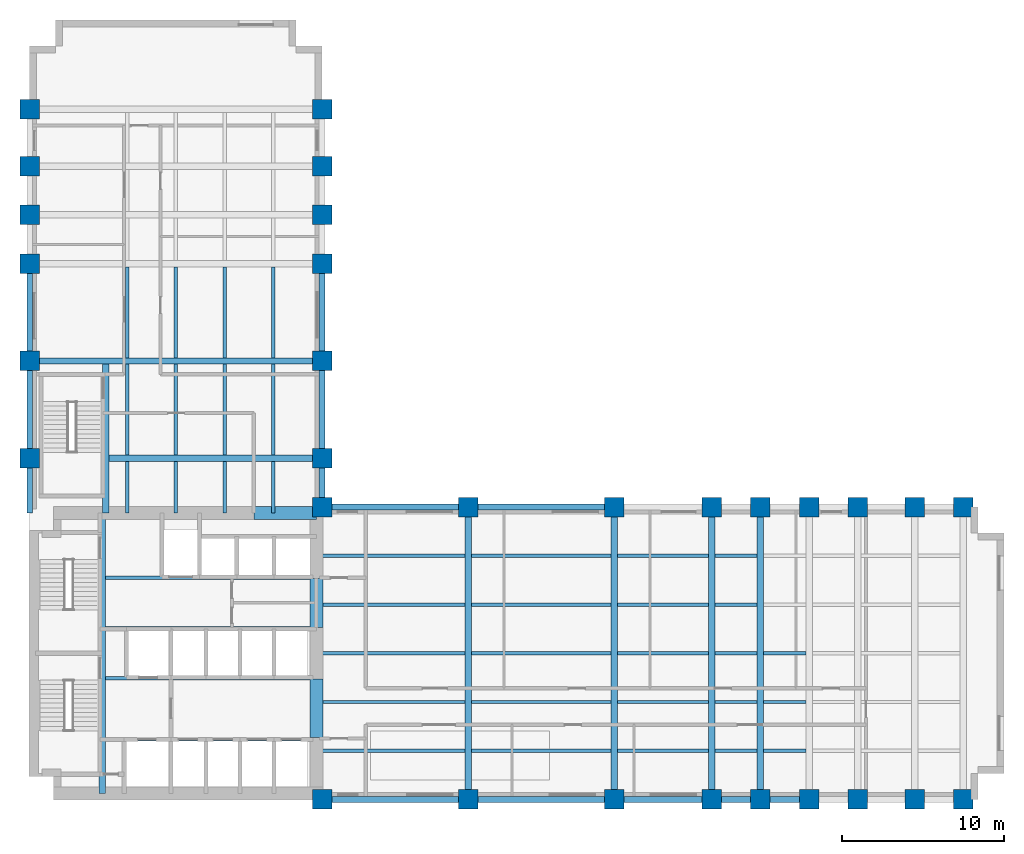
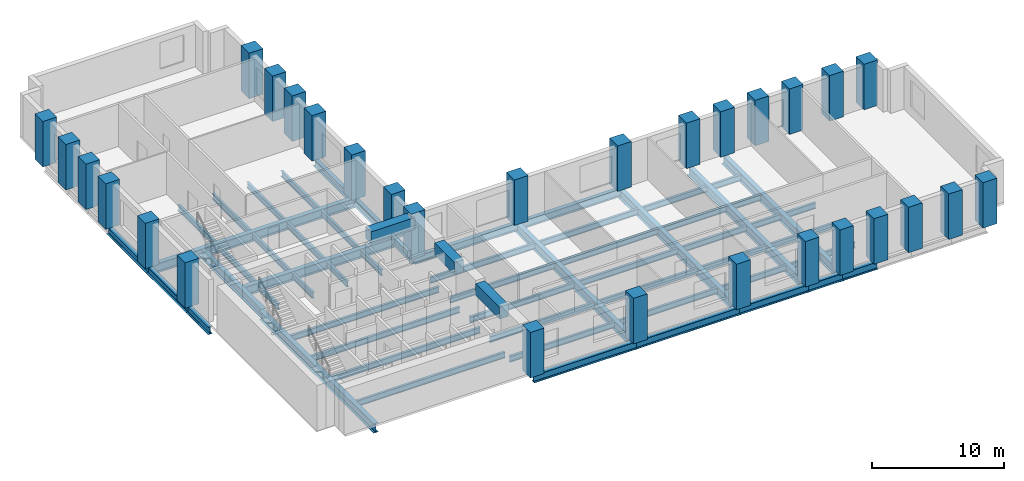
# One storey, part 1 of 7: 63 beams, 30 columns.
"""IFC4 building model written with IfcOpenShell, lengths in metres."""

from ifc_helpers import new_model, si_unit, direction, frame, origin, origin_2d, place, context, subcontext, project, spatial, rectangle, i_section, extrude, material, material_profile, profile_set, type_object, element, save


model = new_model("IFC4")

# Units and contexts
model_context = context("Model", 3, precision=1e-05, world=origin(), true_north=direction((0.0, 1.0)))
body_context = subcontext(model_context, "Body", "Model", "MODEL_VIEW")
ifc_project = project(units=[si_unit("LENGTHUNIT", "METRE"), si_unit("AREAUNIT", "SQUARE_METRE"), si_unit("VOLUMEUNIT", "CUBIC_METRE"), si_unit("PLANEANGLEUNIT", "RADIAN"), si_unit("MASSUNIT", "GRAM", prefix="KILO")], contexts=[model_context])

# Site, building, storey
site_placement = place(None, origin())
site = spatial("IfcSite", under=ifc_project, at=site_placement, CompositionType="ELEMENT")
building_placement = place(site_placement, origin())
building = spatial("IfcBuilding", under=site, at=building_placement, Name="Mawjdan Bourse Tower", CompositionType="ELEMENT")
storey_placement = place(building_placement, frame((0.0, 0.0, 80.39990234375)))
storey = spatial("IfcBuildingStorey", under=building, at=storey_placement, Name="L18", CompositionType="ELEMENT", Elevation=80.39990234375)

# Columns
ifc_material_1 = material(Name="Concrete C80/95", Category="concrete")
ifc_material_profile_1 = material_profile(ifc_material_1, rectangle(XDim=1.199951171875, YDim=1.199951171875, at=origin_2d()), Name="RC1200X1200")
ifc_profile_set_1 = profile_set([ifc_material_profile_1], Name="Concrete C80/95")
column_type = type_object("IfcColumnType", Name="COL-RC1200X1200", PredefinedType="COLUMN", material=ifc_profile_set_1)
for number, where, z_axis, x_axis, name in (
    (1, (24.0, 3.0, 0.0), (0.0, 0.0, 1.0), (1.0, 0.0, 0.0), "L18 Structural Column C-X240-Y30"),
    (2, (24.0, 21.0, 0.0), (0.0, 0.0, 1.0), (1.0, 0.0, 0.0), "L18 Structural Column C-X240-Y210"),
    (3, (33.0, 3.0, 0.0), (0.0, 0.0, 1.0), (1.0, 0.0, 0.0), "L18 Structural Column C-X330-Y30"),
    (4, (33.0, 21.0, 0.0), (0.0, 0.0, 1.0), (1.0, 0.0, 0.0), "L18 Structural Column C-X330-Y210"),
    (5, (42.0, 3.0, 0.0), (0.0, 0.0, 1.0), (1.0, 0.0, 0.0), "L18 Structural Column C-X420-Y30"),
    (6, (42.0, 21.0, 0.0), (0.0, 0.0, 1.0), (1.0, 0.0, 0.0), "L18 Structural Column C-X420-Y210"),
    (7, (48.0, 3.0, 0.0), (0.0, 0.0, 1.0), (1.0, 0.0, 0.0), "L18 Structural Column C-X480-Y30"),
    (8, (48.0, 21.0, 0.0), (0.0, 0.0, 1.0), (1.0, 0.0, 0.0), "L18 Structural Column C-X480-Y210"),
    (9, (51.0, 3.0, 0.0), (0.0, 0.0, 1.0), (1.0, 0.0, 0.0), "L18 Structural Column C-X510-Y30"),
    (10, (51.0, 21.0, 0.0), (0.0, 0.0, 1.0), (1.0, 0.0, 0.0), "L18 Structural Column C-X510-Y210"),
    (11, (54.0, 3.0, 0.0), (0.0, 0.0, 1.0), (1.0, 0.0, 0.0), "L18 Structural Column C-X540-Y30"),
    (12, (54.0, 21.0, 0.0), (0.0, 0.0, 1.0), (1.0, 0.0, 0.0), "L18 Structural Column C-X540-Y210"),
    (13, (57.0, 3.0, 0.0), (0.0, 0.0, 1.0), (1.0, 0.0, 0.0), "L18 Structural Column C-X570-Y30"),
    (14, (57.0, 21.0, 0.0), (0.0, 0.0, 1.0), (1.0, 0.0, 0.0), "L18 Structural Column C-X570-Y210"),
    (15, (60.5, 3.0, 0.0), (0.0, 0.0, 1.0), (1.0, 0.0, 0.0), "L18 Structural Column C-X605-Y30"),
    (16, (60.5, 21.0, 0.0), (0.0, 0.0, 1.0), (1.0, 0.0, 0.0), "L18 Structural Column C-X605-Y210"),
    (17, (63.5, 3.0, 0.0), (0.0, 0.0, 1.0), (1.0, 0.0, 0.0), "L18 Structural Column C-X635-Y30"),
    (18, (63.5, 21.0, 0.0), (0.0, 0.0, 1.0), (1.0, 0.0, 0.0), "L18 Structural Column C-X635-Y210"),
    (19, (6.0, 24.0, 0.0), (0.0, 0.0, 1.0), (1.0, 0.0, 0.0), "L18 Structural Column C-X60-Y240"),
    (20, (24.0, 24.0, 0.0), (0.0, 0.0, 1.0), (1.0, 0.0, 0.0), "L18 Structural Column C-X240-Y240"),
    (21, (6.0, 30.0, 0.0), (0.0, 0.0, 1.0), (1.0, 0.0, 0.0), "L18 Structural Column C-X60-Y300"),
    (22, (24.0, 30.0, 0.0), (0.0, 0.0, 1.0), (1.0, 0.0, 0.0), "L18 Structural Column C-X240-Y300"),
    (23, (6.0, 36.0, 0.0), (0.0, 0.0, 1.0), (1.0, 0.0, 0.0), "L18 Structural Column C-X60-Y360"),
    (24, (24.0, 36.0, 0.0), (0.0, 0.0, 1.0), (1.0, 0.0, 0.0), "L18 Structural Column C-X240-Y360"),
    (25, (6.0, 39.0, 0.0), (0.0, 0.0, 1.0), (1.0, 0.0, 0.0), "L18 Structural Column C-X60-Y390"),
    (26, (24.0, 39.0, 0.0), (0.0, 0.0, 1.0), (1.0, 0.0, 0.0), "L18 Structural Column C-X240-Y390"),
    (27, (6.0, 42.0, 0.0), (0.0, 0.0, 1.0), (1.0, 0.0, 0.0), "L18 Structural Column C-X60-Y420"),
    (28, (24.0, 42.0, 0.0), (0.0, 0.0, 1.0), (1.0, 0.0, 0.0), "L18 Structural Column C-X240-Y420"),
    (29, (6.0, 45.5, 0.0), (0.0, 0.0, 1.0), (1.0, 0.0, 0.0), "L18 Structural Column C-X60-Y455"),
    (30, (24.0, 45.5, 0.0), (0.0, 0.0, 1.0), (1.0, 0.0, 0.0), "L18 Structural Column C-X240-Y455"),
):
    element("IfcColumn", number, at=place(storey_placement, frame(where, z_axis=z_axis, x_axis=x_axis)), inside=storey, type_object=column_type, Name=name, PredefinedType="COLUMN", context=body_context, shape_type="SweptSolid", body=[
        extrude(rectangle(XDim=1.199951171875, YDim=1.199951171875, at=origin_2d()), origin(), (0.0, 0.0, 1.0), 4.2001953125),
    ])

# Beams
ifc_material_2 = material(Name="Structural Steel S355", Category="steel")
ifc_material_profile_2 = material_profile(ifc_material_2, i_section(OverallWidth=0.39892578125, OverallDepth=0.85595703125, WebThickness=0.018310546875, FlangeThickness=0.029296875, FilletRadius=0.0234375, at=origin_2d()), Name="W33X201")
ifc_profile_set_2 = profile_set([ifc_material_profile_2], Name="Structural Steel S355")
beam_type_1 = type_object("IfcBeamType", Name="GRD-W33X201", PredefinedType="BEAM", material=ifc_profile_set_2)
beam_1_placement = place(storey_placement, frame((10.47998046875, 3.35009765625, -0.64794921875), z_axis=(0.0, 1.0, 0.0), x_axis=(-1.0, 0.0, 0.0)))
element("IfcBeam", 31, at=beam_1_placement, inside=storey, type_object=beam_type_1, Name="L18 Core Stair Trimmer Girder 001", PredefinedType="BEAM", context=body_context, shape_type="SweptSolid", body=[
    extrude(i_section(OverallWidth=0.39892578125, OverallDepth=0.85595703125, WebThickness=0.018310546875, FlangeThickness=0.029296875, FilletRadius=0.0234375, at=origin_2d()), origin(), (0.0, 0.0, 1.0), 17.2998046875),
])
for number, where, z_axis, x_axis, name in (
    (32, (33.0, 3.0, -0.64794921875), (0.0, 1.0, 0.0), (-1.0, 0.0, 0.0), "L18 East Wing Clear-Span Girder 002"),
    (33, (42.0, 3.0, -0.64794921875), (0.0, 1.0, 0.0), (-1.0, 0.0, 0.0), "L18 East Wing Clear-Span Girder 003"),
    (34, (48.0, 3.0, -0.64794921875), (0.0, 1.0, 0.0), (-1.0, 0.0, 0.0), "L18 East Wing Clear-Span Girder 004"),
    (35, (51.0, 3.0, -0.64794921875), (0.0, 1.0, 0.0), (-1.0, 0.0, 0.0), "L18 East Wing Clear-Span Girder 005"),
):
    element("IfcBeam", number, at=place(storey_placement, frame(where, z_axis=z_axis, x_axis=x_axis)), inside=storey, type_object=beam_type_1, Name=name, PredefinedType="BEAM", context=body_context, shape_type="SweptSolid", body=[
        extrude(i_section(OverallWidth=0.39892578125, OverallDepth=0.85595703125, WebThickness=0.018310546875, FlangeThickness=0.029296875, FilletRadius=0.0234375, at=origin_2d()), origin(), (0.0, 0.0, 1.0), 18.0),
    ])
beam_2_placement = place(storey_placement, frame((10.679931640625, 20.64990234375, -0.64794921875), z_axis=(0.0, 1.0, 0.0), x_axis=(-1.0, 0.0, 0.0)))
element("IfcBeam", 36, at=beam_2_placement, inside=storey, type_object=beam_type_1, Name="L18 North Wing Stair Trimmer Girder 070", PredefinedType="BEAM", context=body_context, shape_type="SweptSolid", body=[
    extrude(i_section(OverallWidth=0.39892578125, OverallDepth=0.85595703125, WebThickness=0.018310546875, FlangeThickness=0.029296875, FilletRadius=0.0234375, at=origin_2d()), origin(), (0.0, 0.0, 1.0), 9.152587890625),
])
beam_3_placement = place(storey_placement, frame((10.87744140625, 24.0, -0.64794921875), z_axis=(1.0, 0.0, 0.0), x_axis=(0.0, 1.0, 0.0)))
element("IfcBeam", 37, at=beam_3_placement, inside=storey, type_object=beam_type_1, Name="L18 North Wing Clear-Span Girder 071", PredefinedType="BEAM", context=body_context, shape_type="SweptSolid", body=[
    extrude(i_section(OverallWidth=0.39892578125, OverallDepth=0.85595703125, WebThickness=0.018310546875, FlangeThickness=0.029296875, FilletRadius=0.0234375, at=origin_2d()), origin(), (0.0, 0.0, 1.0), 13.12255859375),
])
beam_4_placement = place(storey_placement, frame((6.0, 30.0, -0.64794921875), z_axis=(1.0, 0.0, 0.0), x_axis=(0.0, 1.0, 0.0)))
element("IfcBeam", 38, at=beam_4_placement, inside=storey, type_object=beam_type_1, Name="L18 North Wing Clear-Span Girder 072", PredefinedType="BEAM", context=body_context, shape_type="SweptSolid", body=[
    extrude(i_section(OverallWidth=0.39892578125, OverallDepth=0.85595703125, WebThickness=0.018310546875, FlangeThickness=0.029296875, FilletRadius=0.0234375, at=origin_2d()), origin(), (0.0, 0.0, 1.0), 18.0),
])
ifc_material_profile_3 = material_profile(ifc_material_2, i_section(OverallWidth=0.2119140625, OverallDepth=0.5439453125, WebThickness=0.01318359375, FlangeThickness=0.021240234375, FilletRadius=0.01708984375, at=origin_2d()), Name="W21X83")
ifc_profile_set_3 = profile_set([ifc_material_profile_3], Name="Structural Steel S355")
beam_type_2 = type_object("IfcBeamType", Name="JST-W21X83", PredefinedType="JOIST", material=ifc_profile_set_3)
beam_5_placement = place(storey_placement, frame((23.64990234375, 6.0, -0.491943359375), z_axis=(1.0, 0.0, 0.0), x_axis=(0.0, 1.0, 0.0)))
element("IfcBeam", 39, at=beam_5_placement, inside=storey, type_object=beam_type_2, Name="L18 East Wing Composite Joist 026", PredefinedType="JOIST", context=body_context, shape_type="SweptSolid", body=[
    extrude(i_section(OverallWidth=0.2119140625, OverallDepth=0.5439453125, WebThickness=0.01318359375, FlangeThickness=0.021240234375, FilletRadius=0.01708984375, at=origin_2d()), origin(), (0.0, 0.0, 1.0), 9.152587890625),
])
beam_6_placement = place(storey_placement, frame((33.197509765625, 6.0, -0.491943359375), z_axis=(1.0, 0.0, 0.0), x_axis=(0.0, 1.0, 0.0)))
element("IfcBeam", 40, at=beam_6_placement, inside=storey, type_object=beam_type_2, Name="L18 East Wing Composite Joist 027", PredefinedType="JOIST", context=body_context, shape_type="SweptSolid", body=[
    extrude(i_section(OverallWidth=0.2119140625, OverallDepth=0.5439453125, WebThickness=0.01318359375, FlangeThickness=0.021240234375, FilletRadius=0.01708984375, at=origin_2d()), origin(), (0.0, 0.0, 1.0), 8.60498046875),
])
beam_7_placement = place(storey_placement, frame((42.197509765625, 6.0, -0.491943359375), z_axis=(1.0, 0.0, 0.0), x_axis=(0.0, 1.0, 0.0)))
element("IfcBeam", 41, at=beam_7_placement, inside=storey, type_object=beam_type_2, Name="L18 East Wing Composite Joist 028", PredefinedType="JOIST", context=body_context, shape_type="SweptSolid", body=[
    extrude(i_section(OverallWidth=0.2119140625, OverallDepth=0.5439453125, WebThickness=0.01318359375, FlangeThickness=0.021240234375, FilletRadius=0.01708984375, at=origin_2d()), origin(), (0.0, 0.0, 1.0), 5.60498046875),
])
for number, where, z_axis, x_axis, name in (
    (42, (48.197509765625, 6.0, -0.491943359375), (1.0, 0.0, 0.0), (0.0, 1.0, 0.0), "L18 East Wing Composite Joist 029"),
    (43, (51.197509765625, 6.0, -0.491943359375), (1.0, 0.0, 0.0), (0.0, 1.0, 0.0), "L18 East Wing Composite Joist 030"),
):
    element("IfcBeam", number, at=place(storey_placement, frame(where, z_axis=z_axis, x_axis=x_axis)), inside=storey, type_object=beam_type_2, Name=name, PredefinedType="JOIST", context=body_context, shape_type="SweptSolid", body=[
        extrude(i_section(OverallWidth=0.2119140625, OverallDepth=0.5439453125, WebThickness=0.01318359375, FlangeThickness=0.021240234375, FilletRadius=0.01708984375, at=origin_2d()), origin(), (0.0, 0.0, 1.0), 2.60498046875),
    ])
beam_8_placement = place(storey_placement, frame((23.64990234375, 9.0, -0.491943359375), z_axis=(1.0, 0.0, 0.0), x_axis=(0.0, 1.0, 0.0)))
element("IfcBeam", 44, at=beam_8_placement, inside=storey, type_object=beam_type_2, Name="L18 East Wing Composite Joist 034", PredefinedType="JOIST", context=body_context, shape_type="SweptSolid", body=[
    extrude(i_section(OverallWidth=0.2119140625, OverallDepth=0.5439453125, WebThickness=0.01318359375, FlangeThickness=0.021240234375, FilletRadius=0.01708984375, at=origin_2d()), origin(), (0.0, 0.0, 1.0), 9.152587890625),
])
beam_9_placement = place(storey_placement, frame((33.197509765625, 9.0, -0.491943359375), z_axis=(1.0, 0.0, 0.0), x_axis=(0.0, 1.0, 0.0)))
element("IfcBeam", 45, at=beam_9_placement, inside=storey, type_object=beam_type_2, Name="L18 East Wing Composite Joist 035", PredefinedType="JOIST", context=body_context, shape_type="SweptSolid", body=[
    extrude(i_section(OverallWidth=0.2119140625, OverallDepth=0.5439453125, WebThickness=0.01318359375, FlangeThickness=0.021240234375, FilletRadius=0.01708984375, at=origin_2d()), origin(), (0.0, 0.0, 1.0), 8.60498046875),
])
beam_10_placement = place(storey_placement, frame((42.197509765625, 9.0, -0.491943359375), z_axis=(1.0, 0.0, 0.0), x_axis=(0.0, 1.0, 0.0)))
element("IfcBeam", 46, at=beam_10_placement, inside=storey, type_object=beam_type_2, Name="L18 East Wing Composite Joist 036", PredefinedType="JOIST", context=body_context, shape_type="SweptSolid", body=[
    extrude(i_section(OverallWidth=0.2119140625, OverallDepth=0.5439453125, WebThickness=0.01318359375, FlangeThickness=0.021240234375, FilletRadius=0.01708984375, at=origin_2d()), origin(), (0.0, 0.0, 1.0), 5.60498046875),
])
for number, where, z_axis, x_axis, name in (
    (47, (48.197509765625, 9.0, -0.491943359375), (1.0, 0.0, 0.0), (0.0, 1.0, 0.0), "L18 East Wing Composite Joist 037"),
    (48, (51.197509765625, 9.0, -0.491943359375), (1.0, 0.0, 0.0), (0.0, 1.0, 0.0), "L18 East Wing Composite Joist 038"),
):
    element("IfcBeam", number, at=place(storey_placement, frame(where, z_axis=z_axis, x_axis=x_axis)), inside=storey, type_object=beam_type_2, Name=name, PredefinedType="JOIST", context=body_context, shape_type="SweptSolid", body=[
        extrude(i_section(OverallWidth=0.2119140625, OverallDepth=0.5439453125, WebThickness=0.01318359375, FlangeThickness=0.021240234375, FilletRadius=0.01708984375, at=origin_2d()), origin(), (0.0, 0.0, 1.0), 2.60498046875),
    ])
beam_11_placement = place(storey_placement, frame((23.64990234375, 12.0, -0.491943359375), z_axis=(1.0, 0.0, 0.0), x_axis=(0.0, 1.0, 0.0)))
element("IfcBeam", 49, at=beam_11_placement, inside=storey, type_object=beam_type_2, Name="L18 East Wing Composite Joist 042", PredefinedType="JOIST", context=body_context, shape_type="SweptSolid", body=[
    extrude(i_section(OverallWidth=0.2119140625, OverallDepth=0.5439453125, WebThickness=0.01318359375, FlangeThickness=0.021240234375, FilletRadius=0.01708984375, at=origin_2d()), origin(), (0.0, 0.0, 1.0), 9.152587890625),
])
beam_12_placement = place(storey_placement, frame((33.197509765625, 12.0, -0.491943359375), z_axis=(1.0, 0.0, 0.0), x_axis=(0.0, 1.0, 0.0)))
element("IfcBeam", 50, at=beam_12_placement, inside=storey, type_object=beam_type_2, Name="L18 East Wing Composite Joist 043", PredefinedType="JOIST", context=body_context, shape_type="SweptSolid", body=[
    extrude(i_section(OverallWidth=0.2119140625, OverallDepth=0.5439453125, WebThickness=0.01318359375, FlangeThickness=0.021240234375, FilletRadius=0.01708984375, at=origin_2d()), origin(), (0.0, 0.0, 1.0), 8.60498046875),
])
beam_13_placement = place(storey_placement, frame((42.197509765625, 12.0, -0.491943359375), z_axis=(1.0, 0.0, 0.0), x_axis=(0.0, 1.0, 0.0)))
element("IfcBeam", 51, at=beam_13_placement, inside=storey, type_object=beam_type_2, Name="L18 East Wing Composite Joist 044", PredefinedType="JOIST", context=body_context, shape_type="SweptSolid", body=[
    extrude(i_section(OverallWidth=0.2119140625, OverallDepth=0.5439453125, WebThickness=0.01318359375, FlangeThickness=0.021240234375, FilletRadius=0.01708984375, at=origin_2d()), origin(), (0.0, 0.0, 1.0), 5.60498046875),
])
for number, where, z_axis, x_axis, name in (
    (52, (48.197509765625, 12.0, -0.491943359375), (1.0, 0.0, 0.0), (0.0, 1.0, 0.0), "L18 East Wing Composite Joist 045"),
    (53, (51.197509765625, 12.0, -0.491943359375), (1.0, 0.0, 0.0), (0.0, 1.0, 0.0), "L18 East Wing Composite Joist 046"),
):
    element("IfcBeam", number, at=place(storey_placement, frame(where, z_axis=z_axis, x_axis=x_axis)), inside=storey, type_object=beam_type_2, Name=name, PredefinedType="JOIST", context=body_context, shape_type="SweptSolid", body=[
        extrude(i_section(OverallWidth=0.2119140625, OverallDepth=0.5439453125, WebThickness=0.01318359375, FlangeThickness=0.021240234375, FilletRadius=0.01708984375, at=origin_2d()), origin(), (0.0, 0.0, 1.0), 2.60498046875),
    ])
beam_14_placement = place(storey_placement, frame((23.64990234375, 15.0, -0.491943359375), z_axis=(1.0, 0.0, 0.0), x_axis=(0.0, 1.0, 0.0)))
element("IfcBeam", 54, at=beam_14_placement, inside=storey, type_object=beam_type_2, Name="L18 East Wing Composite Joist 050", PredefinedType="JOIST", context=body_context, shape_type="SweptSolid", body=[
    extrude(i_section(OverallWidth=0.2119140625, OverallDepth=0.5439453125, WebThickness=0.01318359375, FlangeThickness=0.021240234375, FilletRadius=0.01708984375, at=origin_2d()), origin(), (0.0, 0.0, 1.0), 9.152587890625),
])
beam_15_placement = place(storey_placement, frame((33.197509765625, 15.0, -0.491943359375), z_axis=(1.0, 0.0, 0.0), x_axis=(0.0, 1.0, 0.0)))
element("IfcBeam", 55, at=beam_15_placement, inside=storey, type_object=beam_type_2, Name="L18 East Wing Composite Joist 051", PredefinedType="JOIST", context=body_context, shape_type="SweptSolid", body=[
    extrude(i_section(OverallWidth=0.2119140625, OverallDepth=0.5439453125, WebThickness=0.01318359375, FlangeThickness=0.021240234375, FilletRadius=0.01708984375, at=origin_2d()), origin(), (0.0, 0.0, 1.0), 8.60498046875),
])
beam_16_placement = place(storey_placement, frame((42.197509765625, 15.0, -0.491943359375), z_axis=(1.0, 0.0, 0.0), x_axis=(0.0, 1.0, 0.0)))
element("IfcBeam", 56, at=beam_16_placement, inside=storey, type_object=beam_type_2, Name="L18 East Wing Composite Joist 052", PredefinedType="JOIST", context=body_context, shape_type="SweptSolid", body=[
    extrude(i_section(OverallWidth=0.2119140625, OverallDepth=0.5439453125, WebThickness=0.01318359375, FlangeThickness=0.021240234375, FilletRadius=0.01708984375, at=origin_2d()), origin(), (0.0, 0.0, 1.0), 5.60498046875),
])
beam_17_placement = place(storey_placement, frame((48.197509765625, 15.0, -0.491943359375), z_axis=(1.0, 0.0, 0.0), x_axis=(0.0, 1.0, 0.0)))
element("IfcBeam", 57, at=beam_17_placement, inside=storey, type_object=beam_type_2, Name="L18 East Wing Composite Joist 053", PredefinedType="JOIST", context=body_context, shape_type="SweptSolid", body=[
    extrude(i_section(OverallWidth=0.2119140625, OverallDepth=0.5439453125, WebThickness=0.01318359375, FlangeThickness=0.021240234375, FilletRadius=0.01708984375, at=origin_2d()), origin(), (0.0, 0.0, 1.0), 2.60498046875),
])
beam_18_placement = place(storey_placement, frame((23.64990234375, 18.0, -0.491943359375), z_axis=(1.0, 0.0, 0.0), x_axis=(0.0, 1.0, 0.0)))
element("IfcBeam", 58, at=beam_18_placement, inside=storey, type_object=beam_type_2, Name="L18 East Wing Composite Joist 058", PredefinedType="JOIST", context=body_context, shape_type="SweptSolid", body=[
    extrude(i_section(OverallWidth=0.2119140625, OverallDepth=0.5439453125, WebThickness=0.01318359375, FlangeThickness=0.021240234375, FilletRadius=0.01708984375, at=origin_2d()), origin(), (0.0, 0.0, 1.0), 9.152587890625),
])
beam_19_placement = place(storey_placement, frame((33.197509765625, 18.0, -0.491943359375), z_axis=(1.0, 0.0, 0.0), x_axis=(0.0, 1.0, 0.0)))
element("IfcBeam", 59, at=beam_19_placement, inside=storey, type_object=beam_type_2, Name="L18 East Wing Composite Joist 059", PredefinedType="JOIST", context=body_context, shape_type="SweptSolid", body=[
    extrude(i_section(OverallWidth=0.2119140625, OverallDepth=0.5439453125, WebThickness=0.01318359375, FlangeThickness=0.021240234375, FilletRadius=0.01708984375, at=origin_2d()), origin(), (0.0, 0.0, 1.0), 8.60498046875),
])
beam_20_placement = place(storey_placement, frame((42.197509765625, 18.0, -0.491943359375), z_axis=(1.0, 0.0, 0.0), x_axis=(0.0, 1.0, 0.0)))
element("IfcBeam", 60, at=beam_20_placement, inside=storey, type_object=beam_type_2, Name="L18 East Wing Composite Joist 060", PredefinedType="JOIST", context=body_context, shape_type="SweptSolid", body=[
    extrude(i_section(OverallWidth=0.2119140625, OverallDepth=0.5439453125, WebThickness=0.01318359375, FlangeThickness=0.021240234375, FilletRadius=0.01708984375, at=origin_2d()), origin(), (0.0, 0.0, 1.0), 5.60498046875),
])
beam_21_placement = place(storey_placement, frame((48.197509765625, 18.0, -0.491943359375), z_axis=(1.0, 0.0, 0.0), x_axis=(0.0, 1.0, 0.0)))
element("IfcBeam", 61, at=beam_21_placement, inside=storey, type_object=beam_type_2, Name="L18 East Wing Composite Joist 061", PredefinedType="JOIST", context=body_context, shape_type="SweptSolid", body=[
    extrude(i_section(OverallWidth=0.2119140625, OverallDepth=0.5439453125, WebThickness=0.01318359375, FlangeThickness=0.021240234375, FilletRadius=0.01708984375, at=origin_2d()), origin(), (0.0, 0.0, 1.0), 2.60498046875),
])
for number, where, z_axis, x_axis, name in (
    (62, (10.677490234375, 6.699951171875, -0.491943359375), (1.0, 0.0, 0.0), (0.0, 1.0, 0.0), "L18 Core Floor Joist 066"),
    (63, (10.677490234375, 10.449951171875, -0.491943359375), (1.0, 0.0, 0.0), (0.0, 1.0, 0.0), "L18 Core Floor Joist 067"),
    (64, (10.677490234375, 13.550048828125, -0.491943359375), (1.0, 0.0, 0.0), (0.0, 1.0, 0.0), "L18 Core Floor Joist 068"),
    (65, (10.677490234375, 16.64990234375, -0.491943359375), (1.0, 0.0, 0.0), (0.0, 1.0, 0.0), "L18 Core Floor Joist 069"),
):
    element("IfcBeam", number, at=place(storey_placement, frame(where, z_axis=z_axis, x_axis=x_axis)), inside=storey, type_object=beam_type_2, Name=name, PredefinedType="JOIST", context=body_context, shape_type="SweptSolid", body=[
        extrude(i_section(OverallWidth=0.2119140625, OverallDepth=0.5439453125, WebThickness=0.01318359375, FlangeThickness=0.021240234375, FilletRadius=0.01708984375, at=origin_2d()), origin(), (0.0, 0.0, 1.0), 12.972412109375),
    ])
beam_22_placement = place(storey_placement, frame((12.0, 20.64990234375, -0.491943359375), z_axis=(0.0, 1.0, 0.0), x_axis=(-1.0, 0.0, 0.0)))
element("IfcBeam", 66, at=beam_22_placement, inside=storey, type_object=beam_type_2, Name="L18 North Wing Composite Joist 089", PredefinedType="JOIST", context=body_context, shape_type="SweptSolid", body=[
    extrude(i_section(OverallWidth=0.2119140625, OverallDepth=0.5439453125, WebThickness=0.01318359375, FlangeThickness=0.021240234375, FilletRadius=0.01708984375, at=origin_2d()), origin(), (0.0, 0.0, 1.0), 3.152587890625),
])
for number, where, z_axis, x_axis, name in (
    (67, (12.0, 24.197509765625, -0.491943359375), (0.0, 1.0, 0.0), (-1.0, 0.0, 0.0), "L18 North Wing Composite Joist 090"),
    (68, (12.0, 30.197509765625, -0.491943359375), (0.0, 1.0, 0.0), (-1.0, 0.0, 0.0), "L18 North Wing Composite Joist 091"),
):
    element("IfcBeam", number, at=place(storey_placement, frame(where, z_axis=z_axis, x_axis=x_axis)), inside=storey, type_object=beam_type_2, Name=name, PredefinedType="JOIST", context=body_context, shape_type="SweptSolid", body=[
        extrude(i_section(OverallWidth=0.2119140625, OverallDepth=0.5439453125, WebThickness=0.01318359375, FlangeThickness=0.021240234375, FilletRadius=0.01708984375, at=origin_2d()), origin(), (0.0, 0.0, 1.0), 5.60498046875),
    ])
beam_23_placement = place(storey_placement, frame((15.0, 20.64990234375, -0.491943359375), z_axis=(0.0, 1.0, 0.0), x_axis=(-1.0, 0.0, 0.0)))
element("IfcBeam", 69, at=beam_23_placement, inside=storey, type_object=beam_type_2, Name="L18 North Wing Composite Joist 095", PredefinedType="JOIST", context=body_context, shape_type="SweptSolid", body=[
    extrude(i_section(OverallWidth=0.2119140625, OverallDepth=0.5439453125, WebThickness=0.01318359375, FlangeThickness=0.021240234375, FilletRadius=0.01708984375, at=origin_2d()), origin(), (0.0, 0.0, 1.0), 3.152587890625),
])
for number, where, z_axis, x_axis, name in (
    (70, (15.0, 24.197509765625, -0.491943359375), (0.0, 1.0, 0.0), (-1.0, 0.0, 0.0), "L18 North Wing Composite Joist 096"),
    (71, (15.0, 30.197509765625, -0.491943359375), (0.0, 1.0, 0.0), (-1.0, 0.0, 0.0), "L18 North Wing Composite Joist 097"),
):
    element("IfcBeam", number, at=place(storey_placement, frame(where, z_axis=z_axis, x_axis=x_axis)), inside=storey, type_object=beam_type_2, Name=name, PredefinedType="JOIST", context=body_context, shape_type="SweptSolid", body=[
        extrude(i_section(OverallWidth=0.2119140625, OverallDepth=0.5439453125, WebThickness=0.01318359375, FlangeThickness=0.021240234375, FilletRadius=0.01708984375, at=origin_2d()), origin(), (0.0, 0.0, 1.0), 5.60498046875),
    ])
beam_24_placement = place(storey_placement, frame((18.0, 20.64990234375, -0.491943359375), z_axis=(0.0, 1.0, 0.0), x_axis=(-1.0, 0.0, 0.0)))
element("IfcBeam", 72, at=beam_24_placement, inside=storey, type_object=beam_type_2, Name="L18 North Wing Composite Joist 101", PredefinedType="JOIST", context=body_context, shape_type="SweptSolid", body=[
    extrude(i_section(OverallWidth=0.2119140625, OverallDepth=0.5439453125, WebThickness=0.01318359375, FlangeThickness=0.021240234375, FilletRadius=0.01708984375, at=origin_2d()), origin(), (0.0, 0.0, 1.0), 3.152587890625),
])
for number, where, z_axis, x_axis, name in (
    (73, (18.0, 24.197509765625, -0.491943359375), (0.0, 1.0, 0.0), (-1.0, 0.0, 0.0), "L18 North Wing Composite Joist 102"),
    (74, (18.0, 30.197509765625, -0.491943359375), (0.0, 1.0, 0.0), (-1.0, 0.0, 0.0), "L18 North Wing Composite Joist 103"),
):
    element("IfcBeam", number, at=place(storey_placement, frame(where, z_axis=z_axis, x_axis=x_axis)), inside=storey, type_object=beam_type_2, Name=name, PredefinedType="JOIST", context=body_context, shape_type="SweptSolid", body=[
        extrude(i_section(OverallWidth=0.2119140625, OverallDepth=0.5439453125, WebThickness=0.01318359375, FlangeThickness=0.021240234375, FilletRadius=0.01708984375, at=origin_2d()), origin(), (0.0, 0.0, 1.0), 5.60498046875),
    ])
beam_25_placement = place(storey_placement, frame((21.0, 20.64990234375, -0.491943359375), z_axis=(0.0, 1.0, 0.0), x_axis=(-1.0, 0.0, 0.0)))
element("IfcBeam", 75, at=beam_25_placement, inside=storey, type_object=beam_type_2, Name="L18 North Wing Composite Joist 107", PredefinedType="JOIST", context=body_context, shape_type="SweptSolid", body=[
    extrude(i_section(OverallWidth=0.2119140625, OverallDepth=0.5439453125, WebThickness=0.01318359375, FlangeThickness=0.021240234375, FilletRadius=0.01708984375, at=origin_2d()), origin(), (0.0, 0.0, 1.0), 3.152587890625),
])
for number, where, z_axis, x_axis, name in (
    (76, (21.0, 24.197509765625, -0.491943359375), (0.0, 1.0, 0.0), (-1.0, 0.0, 0.0), "L18 North Wing Composite Joist 108"),
    (77, (21.0, 30.197509765625, -0.491943359375), (0.0, 1.0, 0.0), (-1.0, 0.0, 0.0), "L18 North Wing Composite Joist 109"),
):
    element("IfcBeam", number, at=place(storey_placement, frame(where, z_axis=z_axis, x_axis=x_axis)), inside=storey, type_object=beam_type_2, Name=name, PredefinedType="JOIST", context=body_context, shape_type="SweptSolid", body=[
        extrude(i_section(OverallWidth=0.2119140625, OverallDepth=0.5439453125, WebThickness=0.01318359375, FlangeThickness=0.021240234375, FilletRadius=0.01708984375, at=origin_2d()), origin(), (0.0, 0.0, 1.0), 5.60498046875),
    ])
ifc_material_3 = material(Name="Concrete C70/85", Category="concrete")
ifc_material_profile_4 = material_profile(ifc_material_3, rectangle(XDim=0.800048828125, YDim=1.10009765625, at=origin_2d()), Name="RCB800X1100")
ifc_profile_set_4 = profile_set([ifc_material_profile_4], Name="Concrete C70/85")
beam_type_3 = type_object("IfcBeamType", Name="LNT-RCB800X1100", PredefinedType="LINTEL", material=ifc_profile_set_4)
beam_26_placement = place(storey_placement, frame((23.64990234375, 6.800048828125, 3.3701171875), z_axis=(0.0, 1.0, 0.0), x_axis=(-1.0, 0.0, 0.0)))
element("IfcBeam", 78, at=beam_26_placement, inside=storey, type_object=beam_type_3, Name="L18 Coupled Core Lintel CB-E1", PredefinedType="LINTEL", context=body_context, shape_type="SweptSolid", body=[
    extrude(rectangle(XDim=0.800048828125, YDim=1.10009765625, at=origin_2d()), origin(), (0.0, 0.0, 1.0), 3.599853515625),
])
beam_27_placement = place(storey_placement, frame((23.64990234375, 13.60009765625, 3.3701171875), z_axis=(0.0, 1.0, 0.0), x_axis=(-1.0, 0.0, 0.0)))
element("IfcBeam", 79, at=beam_27_placement, inside=storey, type_object=beam_type_3, Name="L18 Coupled Core Lintel CB-E2", PredefinedType="LINTEL", context=body_context, shape_type="SweptSolid", body=[
    extrude(rectangle(XDim=0.800048828125, YDim=1.10009765625, at=origin_2d()), origin(), (0.0, 0.0, 1.0), 3.0),
])
beam_28_placement = place(storey_placement, frame((19.800048828125, 20.64990234375, 3.3701171875), z_axis=(1.0, 0.0, 0.0), x_axis=(0.0, 1.0, 0.0)))
element("IfcBeam", 80, at=beam_28_placement, inside=storey, type_object=beam_type_3, Name="L18 Coupled Core Lintel CB-N1", PredefinedType="LINTEL", context=body_context, shape_type="SweptSolid", body=[
    extrude(rectangle(XDim=0.800048828125, YDim=1.10009765625, at=origin_2d()), origin(), (0.0, 0.0, 1.0), 3.849853515625),
])
ifc_material_profile_5 = material_profile(ifc_material_2, i_section(OverallWidth=0.35498046875, OverallDepth=0.696044921875, WebThickness=0.015380859375, FlangeThickness=0.02490234375, FilletRadius=0.019775390625, at=origin_2d()), Name="W27X146")
ifc_profile_set_5 = profile_set([ifc_material_profile_5], Name="Structural Steel S355")
beam_type_4 = type_object("IfcBeamType", Name="SPN-W27X146", PredefinedType="SPANDREL", material=ifc_profile_set_5)
for number, where, z_axis, x_axis, name in (
    (81, (24.0, 3.0, -0.56787109375), (1.0, 0.0, 0.0), (0.0, 1.0, 0.0), "L18 Perimeter Masonry-Shelf Spandrel 010"),
    (82, (33.0, 3.0, -0.56787109375), (1.0, 0.0, 0.0), (0.0, 1.0, 0.0), "L18 Perimeter Masonry-Shelf Spandrel 011"),
):
    element("IfcBeam", number, at=place(storey_placement, frame(where, z_axis=z_axis, x_axis=x_axis)), inside=storey, type_object=beam_type_4, Name=name, PredefinedType="SPANDREL", context=body_context, shape_type="SweptSolid", body=[
        extrude(i_section(OverallWidth=0.35498046875, OverallDepth=0.696044921875, WebThickness=0.015380859375, FlangeThickness=0.02490234375, FilletRadius=0.019775390625, at=origin_2d()), origin(), (0.0, 0.0, 1.0), 9.0),
    ])
beam_29_placement = place(storey_placement, frame((42.0, 3.0, -0.56787109375), z_axis=(1.0, 0.0, 0.0), x_axis=(0.0, 1.0, 0.0)))
element("IfcBeam", 83, at=beam_29_placement, inside=storey, type_object=beam_type_4, Name="L18 Perimeter Masonry-Shelf Spandrel 012", PredefinedType="SPANDREL", context=body_context, shape_type="SweptSolid", body=[
    extrude(i_section(OverallWidth=0.35498046875, OverallDepth=0.696044921875, WebThickness=0.015380859375, FlangeThickness=0.02490234375, FilletRadius=0.019775390625, at=origin_2d()), origin(), (0.0, 0.0, 1.0), 6.0),
])
for number, where, z_axis, x_axis, name in (
    (84, (48.0, 3.0, -0.56787109375), (1.0, 0.0, 0.0), (0.0, 1.0, 0.0), "L18 Perimeter Masonry-Shelf Spandrel 013"),
    (85, (51.0, 3.0, -0.56787109375), (1.0, 0.0, 0.0), (0.0, 1.0, 0.0), "L18 Perimeter Masonry-Shelf Spandrel 014"),
):
    element("IfcBeam", number, at=place(storey_placement, frame(where, z_axis=z_axis, x_axis=x_axis)), inside=storey, type_object=beam_type_4, Name=name, PredefinedType="SPANDREL", context=body_context, shape_type="SweptSolid", body=[
        extrude(i_section(OverallWidth=0.35498046875, OverallDepth=0.696044921875, WebThickness=0.015380859375, FlangeThickness=0.02490234375, FilletRadius=0.019775390625, at=origin_2d()), origin(), (0.0, 0.0, 1.0), 3.0),
    ])
for number, where, z_axis, x_axis, name in (
    (86, (24.0, 21.0, -0.56787109375), (1.0, 0.0, 0.0), (0.0, 1.0, 0.0), "L18 Perimeter Masonry-Shelf Spandrel 018"),
    (87, (33.0, 21.0, -0.56787109375), (1.0, 0.0, 0.0), (0.0, 1.0, 0.0), "L18 Perimeter Masonry-Shelf Spandrel 019"),
):
    element("IfcBeam", number, at=place(storey_placement, frame(where, z_axis=z_axis, x_axis=x_axis)), inside=storey, type_object=beam_type_4, Name=name, PredefinedType="SPANDREL", context=body_context, shape_type="SweptSolid", body=[
        extrude(i_section(OverallWidth=0.35498046875, OverallDepth=0.696044921875, WebThickness=0.015380859375, FlangeThickness=0.02490234375, FilletRadius=0.019775390625, at=origin_2d()), origin(), (0.0, 0.0, 1.0), 9.0),
    ])
beam_30_placement = place(storey_placement, frame((6.0, 20.64990234375, -0.56787109375), z_axis=(0.0, 1.0, 0.0), x_axis=(-1.0, 0.0, 0.0)))
element("IfcBeam", 88, at=beam_30_placement, inside=storey, type_object=beam_type_4, Name="L18 North Wing Spandrel 077", PredefinedType="SPANDREL", context=body_context, shape_type="SweptSolid", body=[
    extrude(i_section(OverallWidth=0.35498046875, OverallDepth=0.696044921875, WebThickness=0.015380859375, FlangeThickness=0.02490234375, FilletRadius=0.019775390625, at=origin_2d()), origin(), (0.0, 0.0, 1.0), 3.35009765625),
])
for number, where, z_axis, x_axis, name in (
    (89, (6.0, 24.0, -0.56787109375), (0.0, 1.0, 0.0), (-1.0, 0.0, 0.0), "L18 North Wing Spandrel 078"),
    (90, (6.0, 30.0, -0.56787109375), (0.0, 1.0, 0.0), (-1.0, 0.0, 0.0), "L18 North Wing Spandrel 079"),
):
    element("IfcBeam", number, at=place(storey_placement, frame(where, z_axis=z_axis, x_axis=x_axis)), inside=storey, type_object=beam_type_4, Name=name, PredefinedType="SPANDREL", context=body_context, shape_type="SweptSolid", body=[
        extrude(i_section(OverallWidth=0.35498046875, OverallDepth=0.696044921875, WebThickness=0.015380859375, FlangeThickness=0.02490234375, FilletRadius=0.019775390625, at=origin_2d()), origin(), (0.0, 0.0, 1.0), 6.0),
    ])
beam_31_placement = place(storey_placement, frame((24.0, 21.0, -0.56787109375), z_axis=(0.0, 1.0, 0.0), x_axis=(-1.0, 0.0, 0.0)))
element("IfcBeam", 91, at=beam_31_placement, inside=storey, type_object=beam_type_4, Name="L18 North Wing Spandrel 083", PredefinedType="SPANDREL", context=body_context, shape_type="SweptSolid", body=[
    extrude(i_section(OverallWidth=0.35498046875, OverallDepth=0.696044921875, WebThickness=0.015380859375, FlangeThickness=0.02490234375, FilletRadius=0.019775390625, at=origin_2d()), origin(), (0.0, 0.0, 1.0), 3.0),
])
for number, where, z_axis, x_axis, name in (
    (92, (24.0, 24.0, -0.56787109375), (0.0, 1.0, 0.0), (-1.0, 0.0, 0.0), "L18 North Wing Spandrel 084"),
    (93, (24.0, 30.0, -0.56787109375), (0.0, 1.0, 0.0), (-1.0, 0.0, 0.0), "L18 North Wing Spandrel 085"),
):
    element("IfcBeam", number, at=place(storey_placement, frame(where, z_axis=z_axis, x_axis=x_axis)), inside=storey, type_object=beam_type_4, Name=name, PredefinedType="SPANDREL", context=body_context, shape_type="SweptSolid", body=[
        extrude(i_section(OverallWidth=0.35498046875, OverallDepth=0.696044921875, WebThickness=0.015380859375, FlangeThickness=0.02490234375, FilletRadius=0.019775390625, at=origin_2d()), origin(), (0.0, 0.0, 1.0), 6.0),
    ])

save(model, "model.ifc")
